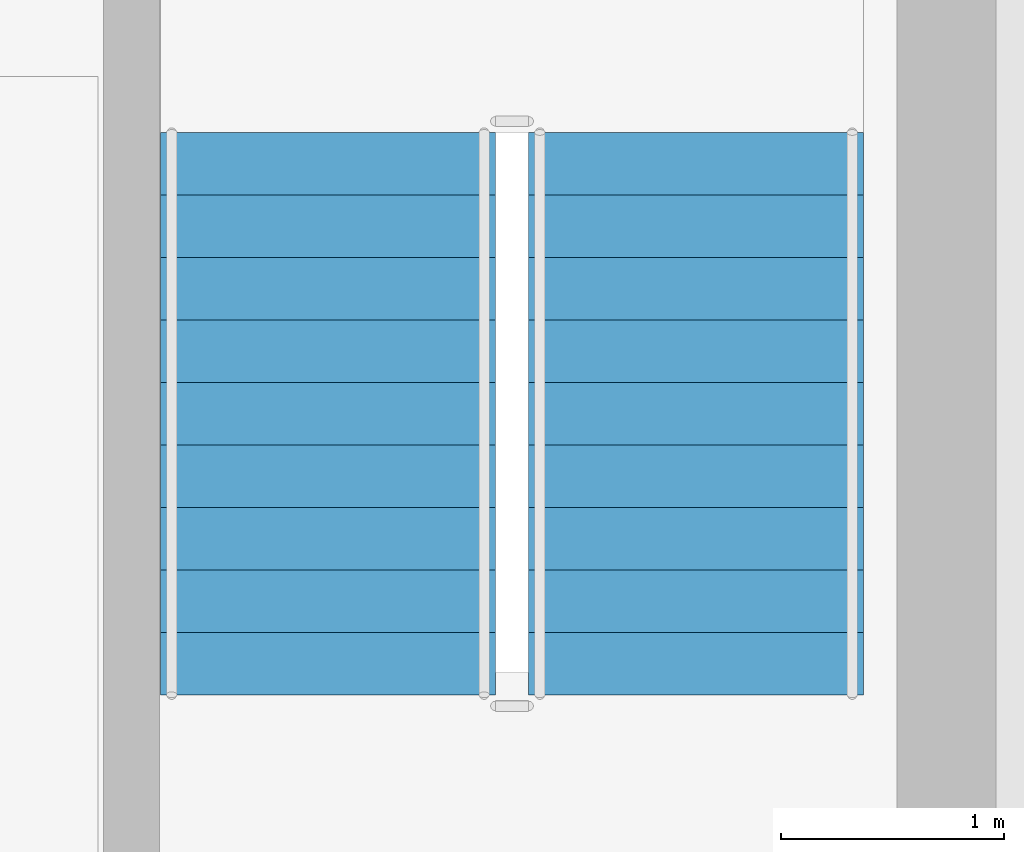
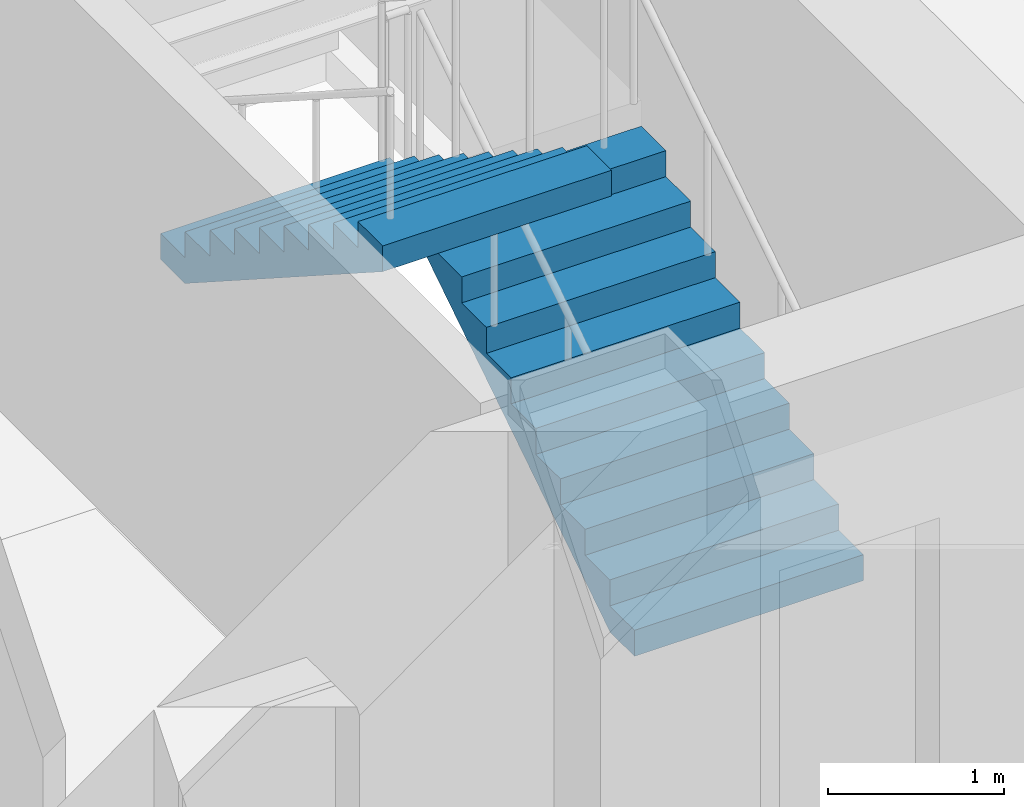
# One storey, part 14 of 18: 2 stair flights, 1 element without a shape of its own.
"""IFC4 building model written with IfcOpenShell, lengths in metres."""

from ifc_helpers import new_model, si_unit, direction, frame, origin, place, context, subcontext, project, spatial, polyline, outline, extrude, material, type_object, element, aggregate, save


model = new_model("IFC4")

# Units and contexts
model_context = context("Model", 3, precision=1e-05, world=origin(), true_north=direction((0.0, 1.0)))
body_context = subcontext(model_context, "Body", "Model", "MODEL_VIEW")
ifc_project = project(units=[si_unit("LENGTHUNIT", "METRE"), si_unit("AREAUNIT", "SQUARE_METRE"), si_unit("VOLUMEUNIT", "CUBIC_METRE"), si_unit("PLANEANGLEUNIT", "RADIAN"), si_unit("MASSUNIT", "GRAM", prefix="KILO")], contexts=[model_context])

# Site, building, storey
site_placement = place(None, origin())
site = spatial("IfcSite", under=ifc_project, at=site_placement, CompositionType="ELEMENT")
building_placement = place(site_placement, origin())
building = spatial("IfcBuilding", under=site, at=building_placement, Name="Trevonay Congress Spire", CompositionType="ELEMENT")
storey_placement = place(building_placement, frame((0.0, 0.0, 122.800048828125)))
storey = spatial("IfcBuildingStorey", under=building, at=storey_placement, Name="L31", CompositionType="ELEMENT", Elevation=122.800048828125)

# Stair, stair flights
ifc_material = material(Name="Concrete C40/50", Category="concrete")
stair_type = type_object("IfcStairType", Name="STR-ST-2", PredefinedType="HALF_TURN_STAIR", material=ifc_material)
stair_placement = place(storey_placement, origin())
stair = element("IfcStair", 1, at=stair_placement, inside=storey, type_object=stair_type, Name="L31 Protected Exit Stair ST-2", PredefinedType="HALF_TURN_STAIR")
stair_flight_type = type_object("IfcStairFlightType", Name="SFL-ST-2", PredefinedType="STRAIGHT", material=ifc_material)
stair_flight_1_placement = place(storey_placement, frame((6.0, -5.25, 0.0), z_axis=(0.0, 0.0, 1.0), x_axis=(0.0, 1.0, 0.0)))
stair_flight_1 = element("IfcStairFlight", 2, at=stair_flight_1_placement, type_object=stair_flight_type, Name="ST-2 flight 1", NumberOfRisers=10, NumberOfTreads=9, PredefinedType="STRAIGHT", RiserHeight=0.18, TreadLength=0.28, context=body_context, shape_type="SweptSolid", body=[
    extrude(outline(polyline([(0.0, 0.0), (0.0, 0.179931640625), (0.280029296875, 0.179931640625), (0.280029296875, 0.360107421875), (0.56005859375, 0.360107421875), (0.56005859375, 0.5400390625), (0.840087890625, 0.5400390625), (0.840087890625, 0.719970703125), (1.1201171875, 0.719970703125), (1.1201171875, 0.89990234375), (1.39990234375, 0.89990234375), (1.39990234375, 1.080078125), (1.679931640625, 1.080078125), (1.679931640625, 1.260009765625), (1.9599609375, 1.260009765625), (1.9599609375, 1.43994140625), (2.239990234375, 1.43994140625), (2.239990234375, 1.6201171875), (2.52001953125, 1.6201171875), (2.52001953125, 1.800048828125), (2.52001953125, 1.44189453125), (0.277099609375, 0.0), (0.0, 0.0)])), frame((0.0, 0.75, 0.0), z_axis=(0.0, -1.0, 0.0), x_axis=(1.0, 0.0, 0.0)), (0.0, 0.0, 1.0), 1.5),
])
stair_flight_2_placement = place(storey_placement, frame((4.35009765625, -2.72998046875, 1.800048828125), z_axis=(0.0, 0.0, 1.0), x_axis=(0.0, -1.0, 0.0)))
stair_flight_2 = element("IfcStairFlight", 3, at=stair_flight_2_placement, type_object=stair_flight_type, Name="ST-2 flight 2", NumberOfRisers=10, NumberOfTreads=9, PredefinedType="STRAIGHT", RiserHeight=0.18, TreadLength=0.28, context=body_context, shape_type="SweptSolid", body=[
    extrude(outline(polyline([(0.0, 0.0), (0.0, 0.179931640625), (0.280029296875, 0.179931640625), (0.280029296875, 0.360107421875), (0.56005859375, 0.360107421875), (0.56005859375, 0.5400390625), (0.840087890625, 0.5400390625), (0.840087890625, 0.719970703125), (1.1201171875, 0.719970703125), (1.1201171875, 0.89990234375), (1.39990234375, 0.89990234375), (1.39990234375, 1.080078125), (1.679931640625, 1.080078125), (1.679931640625, 1.260009765625), (1.9599609375, 1.260009765625), (1.9599609375, 1.43994140625), (2.239990234375, 1.43994140625), (2.239990234375, 1.6201171875), (2.52001953125, 1.6201171875), (2.52001953125, 1.800048828125), (2.52001953125, 1.44189453125), (0.277099609375, 0.0), (0.0, 0.0)])), frame((0.0, 0.75, 0.0), z_axis=(0.0, -1.0, 0.0), x_axis=(1.0, 0.0, 0.0)), (0.0, 0.0, 1.0), 1.5),
])
aggregate(stair, [stair_flight_1, stair_flight_2])

save(model, "model.ifc")
